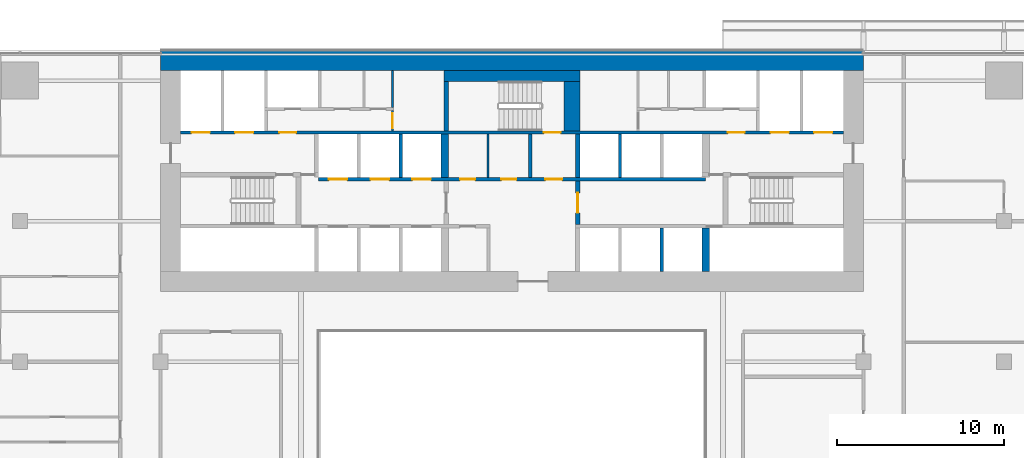
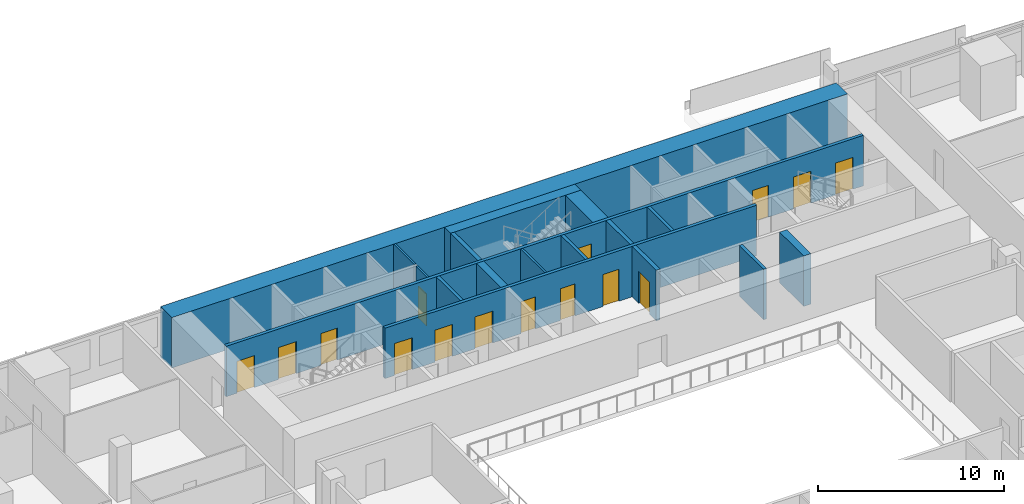
# One storey, part 21 of 29: 17 walls, 15 doors, 15 openings.
"""IFC4 building model written with IfcOpenShell, lengths in metres."""

from ifc_helpers import new_model, si_unit, direction, frame, frame_2d, origin, place, context, subcontext, project, spatial, rectangle, extrude, material, layer, layer_set, type_object, element, fill, save


model = new_model("IFC4")

# Units and contexts
model_context = context("Model", 3, precision=1e-05, world=origin(), true_north=direction((0.0, 1.0)))
body_context = subcontext(model_context, "Body", "Model", "MODEL_VIEW")
ifc_project = project(units=[si_unit("LENGTHUNIT", "METRE"), si_unit("AREAUNIT", "SQUARE_METRE"), si_unit("VOLUMEUNIT", "CUBIC_METRE"), si_unit("PLANEANGLEUNIT", "RADIAN"), si_unit("MASSUNIT", "GRAM", prefix="KILO")], contexts=[model_context])

# Site, building, storey
site_placement = place(None, origin())
site = spatial("IfcSite", under=ifc_project, at=site_placement, CompositionType="ELEMENT")
building_placement = place(site_placement, origin())
building = spatial("IfcBuilding", under=site, at=building_placement, Name="Saffron Gate Tower", CompositionType="ELEMENT")
storey_placement = place(building_placement, frame((0.0, 0.0, 58.800048828125)))
storey = spatial("IfcBuildingStorey", under=building, at=storey_placement, Name="L13", CompositionType="ELEMENT", Elevation=58.800048828125)

# Walls
ifc_material_1 = material(Name="Concrete C70", Category="concrete")
ifc_layer_1 = layer(ifc_material_1, 1.199951171875)
ifc_layer_set_1 = layer_set([ifc_layer_1], Name="CW1 RC core wall 1200 C70")
wall_type_1 = type_object("IfcWallType", Name="CW1 RC core wall 1200 C70", PredefinedType="SOLIDWALL", material=ifc_layer_set_1)
wall_1_placement = place(storey_placement, frame((66.60009765625, 75.0, 0.0), z_axis=(0.0, 0.0, 1.0), x_axis=(1.0, 0.0, 0.0)))
element("IfcWall", 1, at=wall_1_placement, inside=storey, type_object=wall_type_1, Name="Wall CW1-L13-2", PredefinedType="SOLIDWALL", context=body_context, shape_type="SweptSolid", body=[
    extrude(rectangle(XDim=42.0, YDim=1.199951171875, at=frame_2d((21.0, 0.0))), origin(), (0.0, 0.0, 1.0), 3.320068359375),
])
ifc_material_2 = material(Name="Gypsum board partition on steel studs", Category="steel")
ifc_layer_2 = layer(ifc_material_2, 0.199951171875)
ifc_layer_set_2 = layer_set([ifc_layer_2], Name="CW10 Core partition 200")
wall_type_2 = type_object("IfcWallType", Name="CW10 Core partition 200", PredefinedType="PARTITIONING", material=ifc_layer_set_2)
wall_2_placement = place(storey_placement, frame((88.699951171875, 68.0, 0.0), z_axis=(0.0, 0.0, 1.0), x_axis=(0.0, 1.0, 0.0)))
element("IfcWall", 2, at=wall_2_placement, inside=storey, type_object=wall_type_2, Name="Wall CW10-L13-25", PredefinedType="PARTITIONING", context=body_context, shape_type="SweptSolid", body=[
    extrude(rectangle(XDim=2.60009765625, YDim=0.199951171875, at=frame_2d((1.300048828125, 0.0))), origin(), (0.0, 0.0, 1.0), 3.320068359375),
])

# Wall, opening, door
ifc_layer_3 = layer(ifc_material_1, 0.25)
ifc_layer_set_3 = layer_set([ifc_layer_3], Name="CW2 RC core wall 250 C70")
wall_type_3 = type_object("IfcWallType", Name="CW2 RC core wall 250 C70", PredefinedType="SOLIDWALL", material=ifc_layer_set_3)
wall_3_placement = place(storey_placement, frame((91.52490234375, 65.199951171875, 0.0), z_axis=(0.0, 0.0, 1.0), x_axis=(0.0, 1.0, 0.0)))
wall_3 = element("IfcWall", 3, at=wall_3_placement, inside=storey, type_object=wall_type_3, Name="Wall CW2-L13-18", PredefinedType="SOLIDWALL", context=body_context, shape_type="SweptSolid", body=[
    extrude(rectangle(XDim=2.60009765625, YDim=0.25, at=frame_2d((1.300048828125, 0.0))), origin(), (0.0, 0.0, 1.0), 3.320068359375),
])
opening_1_placement = place(wall_3_placement, frame((0.699951171875, 0.0, 0.0)))
opening_1 = element("IfcOpeningElement", 4, at=opening_1_placement, cuts=wall_3, Name="Opening CR-01", PredefinedType="OPENING", context=body_context, shape_type="SweptSolid", body=[
    extrude(rectangle(XDim=1.199951171875, YDim=2.10009765625, at=frame_2d((0.60009765625, 1.050048828125))), frame((0.0, 0.135009765625, 0.0), z_axis=(0.0, -1.0, 0.0), x_axis=(1.0, 0.0, 0.0)), (0.0, 0.0, 1.0), 0.27001953125),
])
ifc_material_3 = material(Name="Steel fire door set", Category="steel")
door_type_1 = type_object("IfcDoorType", Name="CD3 Lobby door 1200x2100 EI 120", OperationType="NOTDEFINED", PredefinedType="DOOR", material=ifc_material_3)
door_1_placement = place(opening_1_placement, origin())
door_1 = element("IfcDoor", 5, at=door_1_placement, inside=storey, type_object=door_type_1, Name="DOOR CR-01", OperationType="SINGLE_SWING_RIGHT", OverallHeight=2.10009765625, OverallWidth=1.199951171875, PredefinedType="DOOR", context=body_context, shape_type="SweptSolid", body=[
    extrude(rectangle(XDim=1.199951171875, YDim=2.10009765625, at=frame_2d((0.60009765625, 1.050048828125))), frame((0.0, 0.02490234375, 0.0), z_axis=(0.0, -1.0, 0.0), x_axis=(1.0, 0.0, 0.0)), (0.0, 0.0, 1.0), 0.050048828125),
])
fill(opening_1, door_1)

# Walls
wall_4_placement = place(storey_placement, frame((91.52490234375, 68.0, 0.0), z_axis=(0.0, 0.0, 1.0), x_axis=(0.0, 1.0, 0.0)))
element("IfcWall", 6, at=wall_4_placement, inside=storey, type_object=wall_type_3, Name="Wall CW2-L13-26", PredefinedType="SOLIDWALL", context=body_context, shape_type="SweptSolid", body=[
    extrude(rectangle(XDim=2.60009765625, YDim=0.25, at=frame_2d((1.300048828125, 0.0))), origin(), (0.0, 0.0, 1.0), 3.320068359375),
])
wall_5_placement = place(storey_placement, frame((83.675048828125, 70.800048828125, 0.0), z_axis=(0.0, 0.0, 1.0), x_axis=(0.0, 1.0, 0.0)))
element("IfcWall", 7, at=wall_5_placement, inside=storey, type_object=wall_type_3, Name="Wall CW2-L13-38", PredefinedType="SOLIDWALL", context=body_context, shape_type="SweptSolid", body=[
    extrude(rectangle(XDim=2.949951171875, YDim=0.25, at=frame_2d((1.47509765625, 0.0))), origin(), (0.0, 0.0, 1.0), 3.320068359375),
])
ifc_layer_4 = layer(ifc_material_1, 0.199951171875)
ifc_layer_set_4 = layer_set([ifc_layer_4], Name="CW3 RC core wall 200 C70")
wall_type_4 = type_object("IfcWallType", Name="CW3 RC core wall 200 C70", PredefinedType="SOLIDWALL", material=ifc_layer_set_4)
wall_6_placement = place(storey_placement, frame((96.550048828125, 62.39990234375, 0.0), z_axis=(0.0, 0.0, 1.0), x_axis=(0.0, 1.0, 0.0)))
element("IfcWall", 8, at=wall_6_placement, inside=storey, type_object=wall_type_4, Name="Wall CW3-L13-12", PredefinedType="SOLIDWALL", context=body_context, shape_type="SweptSolid", body=[
    extrude(rectangle(XDim=2.60009765625, YDim=0.199951171875, at=frame_2d((1.300048828125, 0.0))), origin(), (0.0, 0.0, 1.0), 3.320068359375),
])

# Wall, openings, doors
wall_7_placement = place(storey_placement, frame((76.050048828125, 67.89990234375, 0.0), z_axis=(0.0, 0.0, 1.0), x_axis=(1.0, 0.0, 0.0)))
wall_7 = element("IfcWall", 9, at=wall_7_placement, inside=storey, type_object=wall_type_4, Name="Wall CW3-L13-20", PredefinedType="SOLIDWALL", context=body_context, shape_type="SweptSolid", body=[
    extrude(rectangle(XDim=23.099853515625, YDim=0.199951171875, at=frame_2d((11.5498046875, 0.0))), origin(), (0.0, 0.0, 1.0), 3.320068359375),
])
opening_2_placement = place(wall_7_placement, frame((0.60009765625, 0.0, 0.0)))
opening_2 = element("IfcOpeningElement", 10, at=opening_2_placement, cuts=wall_7, Name="Opening LD-LR4", PredefinedType="OPENING", context=body_context, shape_type="SweptSolid", body=[
    extrude(rectangle(XDim=1.10009765625, YDim=2.10009765625, at=frame_2d((0.550048828125, 1.050048828125))), frame((0.0, 0.10986328125, 0.0), z_axis=(0.0, -1.0, 0.0), x_axis=(1.0, 0.0, 0.0)), (0.0, 0.0, 1.0), 0.219970703125),
])
opening_3_placement = place(wall_7_placement, frame((3.10009765625, 0.0, 0.0)))
opening_3 = element("IfcOpeningElement", 11, at=opening_3_placement, cuts=wall_7, Name="Opening LD-LR5", PredefinedType="OPENING", context=body_context, shape_type="SweptSolid", body=[
    extrude(rectangle(XDim=1.10009765625, YDim=2.10009765625, at=frame_2d((0.550048828125, 1.050048828125))), frame((0.0, 0.10986328125, 0.0), z_axis=(0.0, -1.0, 0.0), x_axis=(1.0, 0.0, 0.0)), (0.0, 0.0, 1.0), 0.219970703125),
])
opening_4_placement = place(wall_7_placement, frame((5.60009765625, 0.0, 0.0)))
opening_4 = element("IfcOpeningElement", 12, at=opening_4_placement, cuts=wall_7, Name="Opening LD-LR6", PredefinedType="OPENING", context=body_context, shape_type="SweptSolid", body=[
    extrude(rectangle(XDim=1.10009765625, YDim=2.10009765625, at=frame_2d((0.550048828125, 1.050048828125))), frame((0.0, 0.10986328125, 0.0), z_axis=(0.0, -1.0, 0.0), x_axis=(1.0, 0.0, 0.0)), (0.0, 0.0, 1.0), 0.219970703125),
])
opening_5_placement = place(wall_7_placement, frame((8.449951171875, 0.0, 0.0)))
opening_5 = element("IfcOpeningElement", 13, at=opening_5_placement, cuts=wall_7, Name="Opening CR-67", PredefinedType="OPENING", context=body_context, shape_type="SweptSolid", body=[
    extrude(rectangle(XDim=0.89990234375, YDim=2.10009765625, at=frame_2d((0.449951171875, 1.050048828125))), frame((0.0, 0.10986328125, 0.0), z_axis=(0.0, -1.0, 0.0), x_axis=(1.0, 0.0, 0.0)), (0.0, 0.0, 1.0), 0.219970703125),
])
opening_6_placement = place(wall_7_placement, frame((10.909912109375, 0.0, 0.0)))
opening_6 = element("IfcOpeningElement", 14, at=opening_6_placement, cuts=wall_7, Name="Opening CR-68", PredefinedType="OPENING", context=body_context, shape_type="SweptSolid", body=[
    extrude(rectangle(XDim=0.89990234375, YDim=2.10009765625, at=frame_2d((0.449951171875, 1.050048828125))), frame((0.0, 0.10986328125, 0.0), z_axis=(0.0, -1.0, 0.0), x_axis=(1.0, 0.0, 0.0)), (0.0, 0.0, 1.0), 0.219970703125),
])
opening_7_placement = place(wall_7_placement, frame((13.550048828125, 0.0, 0.0)))
opening_7 = element("IfcOpeningElement", 15, at=opening_7_placement, cuts=wall_7, Name="Opening CR-02", PredefinedType="OPENING", context=body_context, shape_type="SweptSolid", body=[
    extrude(rectangle(XDim=1.0, YDim=2.10009765625, at=frame_2d((0.5, 1.050048828125))), frame((0.0, 0.10986328125, 0.0), z_axis=(0.0, -1.0, 0.0), x_axis=(1.0, 0.0, 0.0)), (0.0, 0.0, 1.0), 0.219970703125),
])
door_type_2 = type_object("IfcDoorType", Name="CD4 Lobby door 1000x2100 EI 120", OperationType="NOTDEFINED", PredefinedType="DOOR", material=ifc_material_3)
door_2_placement = place(opening_7_placement, origin())
door_2 = element("IfcDoor", 16, at=door_2_placement, inside=storey, type_object=door_type_2, Name="DOOR CR-02", OperationType="SINGLE_SWING_LEFT", OverallHeight=2.10009765625, OverallWidth=1.0, PredefinedType="DOOR", context=body_context, shape_type="SweptSolid", body=[
    extrude(rectangle(XDim=1.0, YDim=2.10009765625, at=frame_2d((0.5, 1.050048828125))), frame((0.0, 0.02490234375, 0.0), z_axis=(0.0, -1.0, 0.0), x_axis=(1.0, 0.0, 0.0)), (0.0, 0.0, 1.0), 0.050048828125),
])
fill(opening_7, door_2)
door_type_3 = type_object("IfcDoorType", Name="CD9 Room door 900x2100 EI 60", OperationType="NOTDEFINED", PredefinedType="DOOR", material=ifc_material_3)
door_3_placement = place(opening_5_placement, origin())
door_3 = element("IfcDoor", 17, at=door_3_placement, inside=storey, type_object=door_type_3, Name="DOOR CR-67", OperationType="SINGLE_SWING_LEFT", OverallHeight=2.10009765625, OverallWidth=0.89990234375, PredefinedType="DOOR", context=body_context, shape_type="SweptSolid", body=[
    extrude(rectangle(XDim=0.89990234375, YDim=2.10009765625, at=frame_2d((0.449951171875, 1.050048828125))), frame((0.0, 0.02490234375, 0.0), z_axis=(0.0, -1.0, 0.0), x_axis=(1.0, 0.0, 0.0)), (0.0, 0.0, 1.0), 0.050048828125),
])
fill(opening_5, door_3)
door_4_placement = place(opening_6_placement, origin())
door_4 = element("IfcDoor", 18, at=door_4_placement, inside=storey, type_object=door_type_3, Name="DOOR CR-68", OperationType="SINGLE_SWING_LEFT", OverallHeight=2.10009765625, OverallWidth=0.89990234375, PredefinedType="DOOR", context=body_context, shape_type="SweptSolid", body=[
    extrude(rectangle(XDim=0.89990234375, YDim=2.10009765625, at=frame_2d((0.449951171875, 1.050048828125))), frame((0.0, 0.02490234375, 0.0), z_axis=(0.0, -1.0, 0.0), x_axis=(1.0, 0.0, 0.0)), (0.0, 0.0, 1.0), 0.050048828125),
])
fill(opening_6, door_4)
ifc_material_4 = material(Name="Stainless steel landing door", Category="steel")
door_type_4 = type_object("IfcDoorType", Name="LD Lift landing door 1100x2100 EI 120", OperationType="SLIDING_TO_LEFT", PredefinedType="DOOR", material=ifc_material_4)
door_5_placement = place(opening_2_placement, origin())
door_5 = element("IfcDoor", 19, at=door_5_placement, inside=storey, type_object=door_type_4, Name="LANDING DOOR LD-LR4", OperationType="SLIDING_TO_RIGHT", OverallHeight=2.10009765625, OverallWidth=1.10009765625, PredefinedType="DOOR", context=body_context, shape_type="SweptSolid", body=[
    extrude(rectangle(XDim=1.10009765625, YDim=2.10009765625, at=frame_2d((0.550048828125, 1.050048828125))), frame((0.0, 0.02490234375, 0.0), z_axis=(0.0, -1.0, 0.0), x_axis=(1.0, 0.0, 0.0)), (0.0, 0.0, 1.0), 0.050048828125),
])
fill(opening_2, door_5)
door_6_placement = place(opening_3_placement, origin())
door_6 = element("IfcDoor", 20, at=door_6_placement, inside=storey, type_object=door_type_4, Name="LANDING DOOR LD-LR5", OperationType="SLIDING_TO_RIGHT", OverallHeight=2.10009765625, OverallWidth=1.10009765625, PredefinedType="DOOR", context=body_context, shape_type="SweptSolid", body=[
    extrude(rectangle(XDim=1.10009765625, YDim=2.10009765625, at=frame_2d((0.550048828125, 1.050048828125))), frame((0.0, 0.02490234375, 0.0), z_axis=(0.0, -1.0, 0.0), x_axis=(1.0, 0.0, 0.0)), (0.0, 0.0, 1.0), 0.050048828125),
])
fill(opening_3, door_6)
door_7_placement = place(opening_4_placement, origin())
door_7 = element("IfcDoor", 21, at=door_7_placement, inside=storey, type_object=door_type_4, Name="LANDING DOOR LD-LR6", OperationType="SLIDING_TO_RIGHT", OverallHeight=2.10009765625, OverallWidth=1.10009765625, PredefinedType="DOOR", context=body_context, shape_type="SweptSolid", body=[
    extrude(rectangle(XDim=1.10009765625, YDim=2.10009765625, at=frame_2d((0.550048828125, 1.050048828125))), frame((0.0, 0.02490234375, 0.0), z_axis=(0.0, -1.0, 0.0), x_axis=(1.0, 0.0, 0.0)), (0.0, 0.0, 1.0), 0.050048828125),
])
fill(opening_4, door_7)

# Walls
for number, where, z_axis, x_axis, name in (
    (22, (80.949951171875, 68.0, 0.0), (0.0, 0.0, 1.0), (0.0, 1.0, 0.0), "Wall CW3-L13-22"),
    (23, (94.050048828125, 68.0, 0.0), (0.0, 0.0, 1.0), (0.0, 1.0, 0.0), "Wall CW3-L13-27"),
):
    element("IfcWall", number, at=place(storey_placement, frame(where, z_axis=z_axis, x_axis=x_axis)), inside=storey, type_object=wall_type_4, Name=name, PredefinedType="SOLIDWALL", context=body_context, shape_type="SweptSolid", body=[
        extrude(rectangle(XDim=2.60009765625, YDim=0.199951171875, at=frame_2d((1.300048828125, 0.0))), origin(), (0.0, 0.0, 1.0), 3.320068359375),
    ])

# Wall, openings, doors
wall_8_placement = place(storey_placement, frame((67.800048828125, 70.699951171875, 0.0), z_axis=(0.0, 0.0, 1.0), x_axis=(1.0, 0.0, 0.0)))
wall_8 = element("IfcWall", 24, at=wall_8_placement, inside=storey, type_object=wall_type_4, Name="Wall CW3-L13-34", PredefinedType="SOLIDWALL", context=body_context, shape_type="SweptSolid", body=[
    extrude(rectangle(XDim=39.599853515625, YDim=0.199951171875, at=frame_2d((19.7998046875, 0.0))), origin(), (0.0, 0.0, 1.0), 3.320068359375),
])
opening_8_placement = place(wall_8_placement, frame((0.64990234375, 0.0, 0.0)))
opening_8 = element("IfcOpeningElement", 25, at=opening_8_placement, cuts=wall_8, Name="Opening LD-FF1", PredefinedType="OPENING", context=body_context, shape_type="SweptSolid", body=[
    extrude(rectangle(XDim=1.10009765625, YDim=2.10009765625, at=frame_2d((0.550048828125, 1.050048828125))), frame((0.0, 0.10986328125, 0.0), z_axis=(0.0, -1.0, 0.0), x_axis=(1.0, 0.0, 0.0)), (0.0, 0.0, 1.0), 0.219970703125),
])
opening_9_placement = place(wall_8_placement, frame((3.25, 0.0, 0.0)))
opening_9 = element("IfcOpeningElement", 26, at=opening_9_placement, cuts=wall_8, Name="Opening LD-SV1", PredefinedType="OPENING", context=body_context, shape_type="SweptSolid", body=[
    extrude(rectangle(XDim=1.10009765625, YDim=2.10009765625, at=frame_2d((0.550048828125, 1.050048828125))), frame((0.0, 0.10986328125, 0.0), z_axis=(0.0, -1.0, 0.0), x_axis=(1.0, 0.0, 0.0)), (0.0, 0.0, 1.0), 0.219970703125),
])
opening_10_placement = place(wall_8_placement, frame((5.89990234375, 0.0, 0.0)))
opening_10 = element("IfcOpeningElement", 27, at=opening_10_placement, cuts=wall_8, Name="Opening CR-03", PredefinedType="OPENING", context=body_context, shape_type="SweptSolid", body=[
    extrude(rectangle(XDim=1.0, YDim=2.10009765625, at=frame_2d((0.5, 1.050048828125))), frame((0.0, 0.10986328125, 0.0), z_axis=(0.0, -1.0, 0.0), x_axis=(1.0, 0.0, 0.0)), (0.0, 0.0, 1.0), 0.219970703125),
])
opening_11_placement = place(wall_8_placement, frame((21.699951171875, 0.0, 0.0)))
opening_11 = element("IfcOpeningElement", 28, at=opening_11_placement, cuts=wall_8, Name="Opening CR-17", PredefinedType="OPENING", context=body_context, shape_type="SweptSolid", body=[
    extrude(rectangle(XDim=1.0, YDim=2.10009765625, at=frame_2d((0.5, 1.050048828125))), frame((0.0, 0.10986328125, 0.0), z_axis=(0.0, -1.0, 0.0), x_axis=(1.0, 0.0, 0.0)), (0.0, 0.0, 1.0), 0.219970703125),
])
opening_12_placement = place(wall_8_placement, frame((32.699951171875, 0.0, 0.0)))
opening_12 = element("IfcOpeningElement", 29, at=opening_12_placement, cuts=wall_8, Name="Opening CR-04", PredefinedType="OPENING", context=body_context, shape_type="SweptSolid", body=[
    extrude(rectangle(XDim=1.0, YDim=2.10009765625, at=frame_2d((0.5, 1.050048828125))), frame((0.0, 0.10986328125, 0.0), z_axis=(0.0, -1.0, 0.0), x_axis=(1.0, 0.0, 0.0)), (0.0, 0.0, 1.0), 0.219970703125),
])
opening_13_placement = place(wall_8_placement, frame((35.25, 0.0, 0.0)))
opening_13 = element("IfcOpeningElement", 30, at=opening_13_placement, cuts=wall_8, Name="Opening LD-SV2", PredefinedType="OPENING", context=body_context, shape_type="SweptSolid", body=[
    extrude(rectangle(XDim=1.10009765625, YDim=2.10009765625, at=frame_2d((0.550048828125, 1.050048828125))), frame((0.0, 0.10986328125, 0.0), z_axis=(0.0, -1.0, 0.0), x_axis=(1.0, 0.0, 0.0)), (0.0, 0.0, 1.0), 0.219970703125),
])
opening_14_placement = place(wall_8_placement, frame((37.85009765625, 0.0, 0.0)))
opening_14 = element("IfcOpeningElement", 31, at=opening_14_placement, cuts=wall_8, Name="Opening LD-FF2", PredefinedType="OPENING", context=body_context, shape_type="SweptSolid", body=[
    extrude(rectangle(XDim=1.10009765625, YDim=2.10009765625, at=frame_2d((0.550048828125, 1.050048828125))), frame((0.0, 0.10986328125, 0.0), z_axis=(0.0, -1.0, 0.0), x_axis=(1.0, 0.0, 0.0)), (0.0, 0.0, 1.0), 0.219970703125),
])
door_8_placement = place(opening_10_placement, origin())
door_8 = element("IfcDoor", 32, at=door_8_placement, inside=storey, type_object=door_type_2, Name="DOOR CR-03", OperationType="SINGLE_SWING_LEFT", OverallHeight=2.10009765625, OverallWidth=1.0, PredefinedType="DOOR", context=body_context, shape_type="SweptSolid", body=[
    extrude(rectangle(XDim=1.0, YDim=2.10009765625, at=frame_2d((0.5, 1.050048828125))), frame((0.0, 0.02490234375, 0.0), z_axis=(0.0, -1.0, 0.0), x_axis=(1.0, 0.0, 0.0)), (0.0, 0.0, 1.0), 0.050048828125),
])
fill(opening_10, door_8)
door_9_placement = place(opening_12_placement, origin())
door_9 = element("IfcDoor", 33, at=door_9_placement, inside=storey, type_object=door_type_2, Name="DOOR CR-04", OperationType="SINGLE_SWING_RIGHT", OverallHeight=2.10009765625, OverallWidth=1.0, PredefinedType="DOOR", context=body_context, shape_type="SweptSolid", body=[
    extrude(rectangle(XDim=1.0, YDim=2.10009765625, at=frame_2d((0.5, 1.050048828125))), frame((0.0, 0.02490234375, 0.0), z_axis=(0.0, -1.0, 0.0), x_axis=(1.0, 0.0, 0.0)), (0.0, 0.0, 1.0), 0.050048828125),
])
fill(opening_12, door_9)
door_type_5 = type_object("IfcDoorType", Name="CD5 Stair door 1000x2100 EI 120", OperationType="NOTDEFINED", PredefinedType="DOOR", material=ifc_material_3)
door_10_placement = place(opening_11_placement, origin())
door_10 = element("IfcDoor", 34, at=door_10_placement, inside=storey, type_object=door_type_5, Name="DOOR CR-17", OperationType="SINGLE_SWING_RIGHT", OverallHeight=2.10009765625, OverallWidth=1.0, PredefinedType="DOOR", context=body_context, shape_type="SweptSolid", body=[
    extrude(rectangle(XDim=1.0, YDim=2.10009765625, at=frame_2d((0.5, 1.050048828125))), frame((0.0, 0.02490234375, 0.0), z_axis=(0.0, -1.0, 0.0), x_axis=(1.0, 0.0, 0.0)), (0.0, 0.0, 1.0), 0.050048828125),
])
fill(opening_11, door_10)
door_11_placement = place(opening_8_placement, origin())
door_11 = element("IfcDoor", 35, at=door_11_placement, inside=storey, type_object=door_type_4, Name="LANDING DOOR LD-FF1", OperationType="SLIDING_TO_RIGHT", OverallHeight=2.10009765625, OverallWidth=1.10009765625, PredefinedType="DOOR", context=body_context, shape_type="SweptSolid", body=[
    extrude(rectangle(XDim=1.10009765625, YDim=2.10009765625, at=frame_2d((0.550048828125, 1.050048828125))), frame((0.0, 0.02490234375, 0.0), z_axis=(0.0, -1.0, 0.0), x_axis=(1.0, 0.0, 0.0)), (0.0, 0.0, 1.0), 0.050048828125),
])
fill(opening_8, door_11)
door_12_placement = place(opening_9_placement, origin())
door_12 = element("IfcDoor", 36, at=door_12_placement, inside=storey, type_object=door_type_4, Name="LANDING DOOR LD-SV1", OperationType="SLIDING_TO_RIGHT", OverallHeight=2.10009765625, OverallWidth=1.10009765625, PredefinedType="DOOR", context=body_context, shape_type="SweptSolid", body=[
    extrude(rectangle(XDim=1.10009765625, YDim=2.10009765625, at=frame_2d((0.550048828125, 1.050048828125))), frame((0.0, 0.02490234375, 0.0), z_axis=(0.0, -1.0, 0.0), x_axis=(1.0, 0.0, 0.0)), (0.0, 0.0, 1.0), 0.050048828125),
])
fill(opening_9, door_12)
door_13_placement = place(opening_13_placement, origin())
door_13 = element("IfcDoor", 37, at=door_13_placement, inside=storey, type_object=door_type_4, Name="LANDING DOOR LD-SV2", OperationType="SLIDING_TO_RIGHT", OverallHeight=2.10009765625, OverallWidth=1.10009765625, PredefinedType="DOOR", context=body_context, shape_type="SweptSolid", body=[
    extrude(rectangle(XDim=1.10009765625, YDim=2.10009765625, at=frame_2d((0.550048828125, 1.050048828125))), frame((0.0, 0.02490234375, 0.0), z_axis=(0.0, -1.0, 0.0), x_axis=(1.0, 0.0, 0.0)), (0.0, 0.0, 1.0), 0.050048828125),
])
fill(opening_13, door_13)
door_14_placement = place(opening_14_placement, origin())
door_14 = element("IfcDoor", 38, at=door_14_placement, inside=storey, type_object=door_type_4, Name="LANDING DOOR LD-FF2", OperationType="SLIDING_TO_RIGHT", OverallHeight=2.10009765625, OverallWidth=1.10009765625, PredefinedType="DOOR", context=body_context, shape_type="SweptSolid", body=[
    extrude(rectangle(XDim=1.10009765625, YDim=2.10009765625, at=frame_2d((0.550048828125, 1.050048828125))), frame((0.0, 0.02490234375, 0.0), z_axis=(0.0, -1.0, 0.0), x_axis=(1.0, 0.0, 0.0)), (0.0, 0.0, 1.0), 0.050048828125),
])
fill(opening_14, door_14)

# Walls
ifc_layer_5 = layer(ifc_material_1, 0.449951171875)
ifc_layer_set_5 = layer_set([ifc_layer_5], Name="CW4 RC core wall 450 C70")
wall_type_5 = type_object("IfcWallType", Name="CW4 RC core wall 450 C70", PredefinedType="SOLIDWALL", material=ifc_layer_set_5)
for number, where, z_axis, x_axis, name in (
    (39, (99.175048828125, 62.39990234375, 0.0), (0.0, 0.0, 1.0), (0.0, 1.0, 0.0), "Wall CW4-L13-13"),
    (40, (83.574951171875, 68.0, 0.0), (0.0, 0.0, 1.0), (0.0, 1.0, 0.0), "Wall CW4-L13-23"),
):
    element("IfcWall", number, at=place(storey_placement, frame(where, z_axis=z_axis, x_axis=x_axis)), inside=storey, type_object=wall_type_5, Name=name, PredefinedType="SOLIDWALL", context=body_context, shape_type="SweptSolid", body=[
        extrude(rectangle(XDim=2.60009765625, YDim=0.449951171875, at=frame_2d((1.300048828125, 0.0))), origin(), (0.0, 0.0, 1.0), 3.320068359375),
    ])
ifc_layer_6 = layer(ifc_material_1, 0.949951171875)
ifc_layer_set_6 = layer_set([ifc_layer_6], Name="CW7 RC core wall 950 C70")
wall_type_6 = type_object("IfcWallType", Name="CW7 RC core wall 950 C70", PredefinedType="SOLIDWALL", material=ifc_layer_set_6)
wall_9_placement = place(storey_placement, frame((91.175048828125, 70.800048828125, 0.0), z_axis=(0.0, 0.0, 1.0), x_axis=(0.0, 1.0, 0.0)))
element("IfcWall", 41, at=wall_9_placement, inside=storey, type_object=wall_type_6, Name="Wall CW7-L13-39", PredefinedType="SOLIDWALL", context=body_context, shape_type="SweptSolid", body=[
    extrude(rectangle(XDim=2.949951171875, YDim=0.949951171875, at=frame_2d((1.47509765625, 0.0))), origin(), (0.0, 0.0, 1.0), 3.320068359375),
])
ifc_layer_7 = layer(ifc_material_2, 0.1201171875)
ifc_layer_set_7 = layer_set([ifc_layer_7], Name="CW8 Core partition 120")
wall_type_7 = type_object("IfcWallType", Name="CW8 Core partition 120", PredefinedType="PARTITIONING", material=ifc_layer_set_7)
wall_10_placement = place(storey_placement, frame((86.159912109375, 68.0, 0.0), z_axis=(0.0, 0.0, 1.0), x_axis=(0.0, 1.0, 0.0)))
element("IfcWall", 42, at=wall_10_placement, inside=storey, type_object=wall_type_7, Name="Wall CW8-L13-24", PredefinedType="PARTITIONING", context=body_context, shape_type="SweptSolid", body=[
    extrude(rectangle(XDim=2.60009765625, YDim=0.1201171875, at=frame_2d((1.300048828125, 0.0))), origin(), (0.0, 0.0, 1.0), 3.320068359375),
])

# Wall, opening, door
wall_11_placement = place(storey_placement, frame((80.4599609375, 70.800048828125, 0.0), z_axis=(0.0, 0.0, 1.0), x_axis=(0.0, 1.0, 0.0)))
wall_11 = element("IfcWall", 43, at=wall_11_placement, inside=storey, type_object=wall_type_7, Name="Wall CW8-L13-37", PredefinedType="PARTITIONING", context=body_context, shape_type="SweptSolid", body=[
    extrude(rectangle(XDim=1.199951171875, YDim=0.1201171875, at=frame_2d((0.60009765625, 0.0))), origin(), (0.0, 0.0, 1.0), 3.320068359375),
])
opening_15_placement = place(wall_11_placement, frame((0.14990234375, 0.0, 0.0)))
opening_15 = element("IfcOpeningElement", 44, at=opening_15_placement, cuts=wall_11, Name="Opening CR-60", PredefinedType="OPENING", context=body_context, shape_type="SweptSolid", body=[
    extrude(rectangle(XDim=0.89990234375, YDim=2.10009765625, at=frame_2d((0.449951171875, 1.050048828125))), frame((0.0, 0.070068359375, 0.0), z_axis=(0.0, -1.0, 0.0), x_axis=(1.0, 0.0, 0.0)), (0.0, 0.0, 1.0), 0.14013671875),
])
door_15_placement = place(opening_15_placement, origin())
door_15 = element("IfcDoor", 45, at=door_15_placement, inside=storey, type_object=door_type_3, Name="DOOR CR-60", OperationType="SINGLE_SWING_RIGHT", OverallHeight=2.10009765625, OverallWidth=0.89990234375, PredefinedType="DOOR", context=body_context, shape_type="SweptSolid", body=[
    extrude(rectangle(XDim=0.89990234375, YDim=2.10009765625, at=frame_2d((0.449951171875, 1.050048828125))), frame((0.0, 0.02490234375, 0.0), z_axis=(0.0, -1.0, 0.0), x_axis=(1.0, 0.0, 0.0)), (0.0, 0.0, 1.0), 0.050048828125),
])
fill(opening_15, door_15)

# Walls
wall_12_placement = place(storey_placement, frame((80.4599609375, 72.199951171875, 0.0), z_axis=(0.0, 0.0, 1.0), x_axis=(0.0, 1.0, 0.0)))
element("IfcWall", 46, at=wall_12_placement, inside=storey, type_object=wall_type_7, Name="Wall CW8-L13-48", PredefinedType="PARTITIONING", context=body_context, shape_type="SweptSolid", body=[
    extrude(rectangle(XDim=2.199951171875, YDim=0.1201171875, at=frame_2d((1.10009765625, 0.0))), origin(), (0.0, 0.0, 1.0), 3.320068359375),
])
ifc_layer_8 = layer(ifc_material_1, 0.64990234375)
ifc_layer_set_8 = layer_set([ifc_layer_8], Name="CW9 RC core wall 650 C70")
wall_type_8 = type_object("IfcWallType", Name="CW9 RC core wall 650 C70", PredefinedType="SOLIDWALL", material=ifc_layer_set_8)
wall_13_placement = place(storey_placement, frame((83.550048828125, 74.074951171875, 0.0), z_axis=(0.0, 0.0, 1.0), x_axis=(1.0, 0.0, 0.0)))
element("IfcWall", 47, at=wall_13_placement, inside=storey, type_object=wall_type_8, Name="Wall CW9-L13-53", PredefinedType="SOLIDWALL", context=body_context, shape_type="SweptSolid", body=[
    extrude(rectangle(XDim=8.099853515625, YDim=0.64990234375, at=frame_2d((4.0498046875, 0.0))), origin(), (0.0, 0.0, 1.0), 3.320068359375),
])

save(model, "model.ifc")
